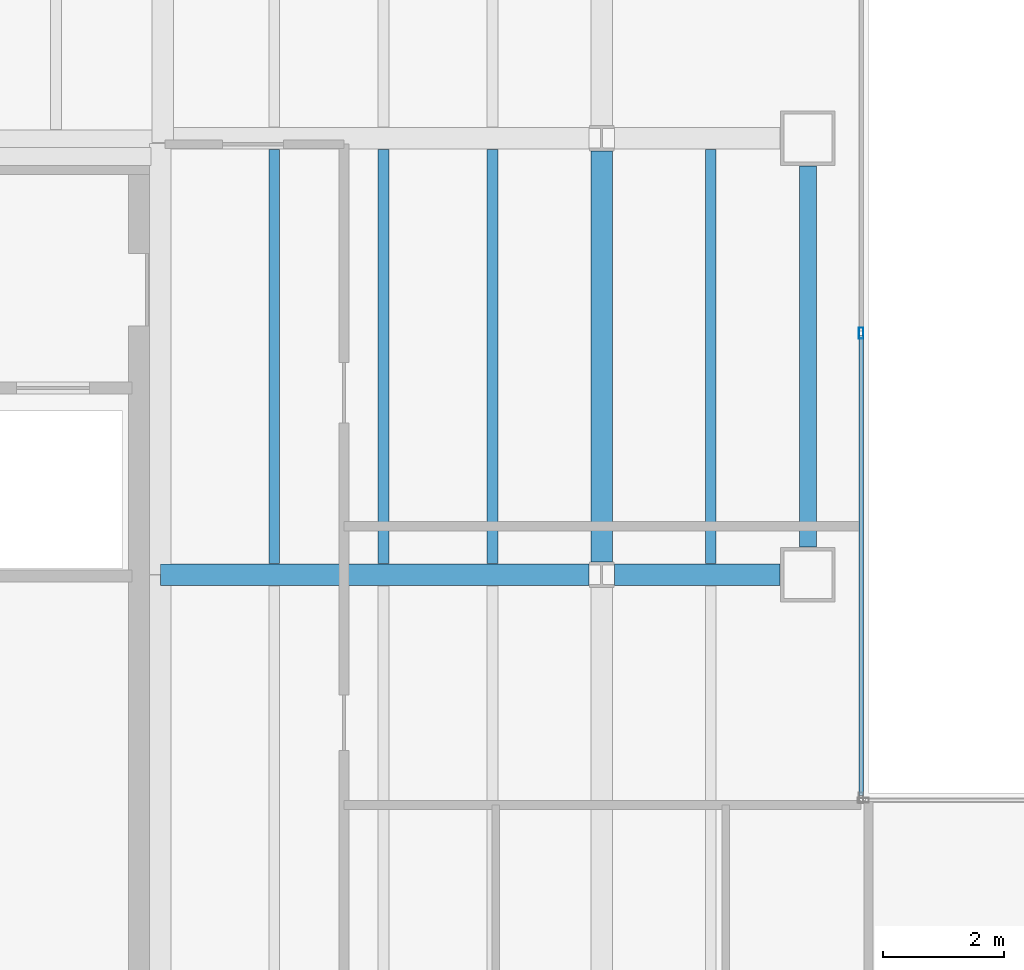
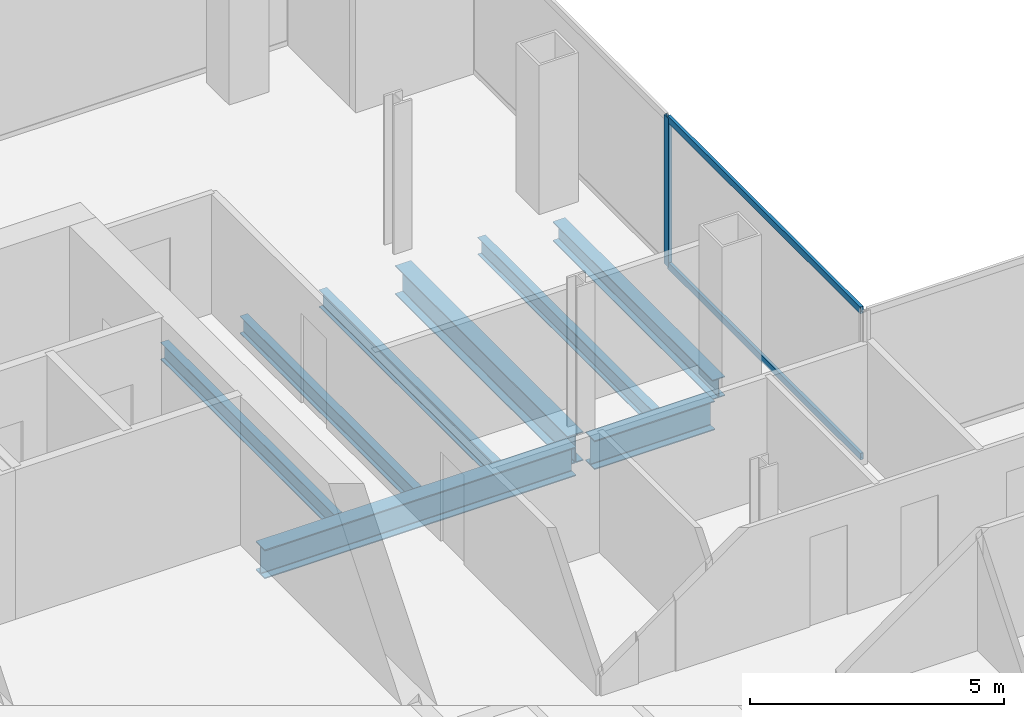
# One storey, part 8 of 23: 8 beams, 3 members, 1 element without a shape of its own.
"""IFC4 building model written with IfcOpenShell, lengths in metres."""

from ifc_helpers import new_model, si_unit, direction, frame, origin, origin_2d, place, context, subcontext, project, spatial, hollow_rectangle, i_section, extrude, material, material_profile, profile_set, type_object, element, aggregate, save


model = new_model("IFC4")

# Units and contexts
model_context = context("Model", 3, precision=1e-05, world=origin(), true_north=direction((0.0, 1.0)))
body_context = subcontext(model_context, "Body", "Model", "MODEL_VIEW")
ifc_project = project(units=[si_unit("LENGTHUNIT", "METRE"), si_unit("AREAUNIT", "SQUARE_METRE"), si_unit("VOLUMEUNIT", "CUBIC_METRE"), si_unit("PLANEANGLEUNIT", "RADIAN"), si_unit("MASSUNIT", "GRAM", prefix="KILO")], contexts=[model_context])

# Site, building, storey
site_placement = place(None, origin())
site = spatial("IfcSite", under=ifc_project, at=site_placement, CompositionType="ELEMENT")
building_placement = place(site_placement, origin())
building = spatial("IfcBuilding", under=site, at=building_placement, Name="Cobrela Telecom Tower", CompositionType="ELEMENT")
storey_placement = place(building_placement, frame((0.0, 0.0, 140.699951171875)))
storey = spatial("IfcBuildingStorey", under=building, at=storey_placement, Name="L35", CompositionType="ELEMENT", Elevation=140.699951171875)

# Beams
ifc_material_1 = material(Name="Steel ASTM A992 Grade 50", Category="steel")
ifc_material_profile_1 = material_profile(ifc_material_1, i_section(OverallWidth=0.35595703125, OverallDepth=0.696044921875, WebThickness=0.015380859375, FlangeThickness=0.024658203125, FilletRadius=0.01806640625, at=origin_2d()), Name="W27X146")
ifc_profile_set_1 = profile_set([ifc_material_profile_1], Name="Steel ASTM A992 Grade 50")
beam_type_1 = type_object("IfcBeamType", Name="BM-GIRD-05", PredefinedType="USERDEFINED", material=ifc_profile_set_1)
beam_1_placement = place(storey_placement, frame((14.324951171875, 28.800048828125, -0.617919921875), z_axis=(1.0, 0.0, 0.0), x_axis=(0.0, 1.0, 0.0)))
element("IfcBeam", 1, at=beam_1_placement, inside=storey, type_object=beam_type_1, Name="L35 Primary Girder X23", ObjectType="GIRDER", PredefinedType="USERDEFINED", context=body_context, shape_type="SweptSolid", body=[
    extrude(i_section(OverallWidth=0.35595703125, OverallDepth=0.696044921875, WebThickness=0.015380859375, FlangeThickness=0.024658203125, FilletRadius=0.01806640625, at=origin_2d()), origin(), (0.0, 0.0, 1.0), 7.0654296875),
])
beam_2_placement = place(storey_placement, frame((21.8095703125, 28.800048828125, -0.617919921875), z_axis=(1.0, 0.0, 0.0), x_axis=(0.0, 1.0, 0.0)))
element("IfcBeam", 2, at=beam_2_placement, inside=storey, type_object=beam_type_1, Name="L35 Primary Girder X24", ObjectType="GIRDER", PredefinedType="USERDEFINED", context=body_context, shape_type="SweptSolid", body=[
    extrude(i_section(OverallWidth=0.35595703125, OverallDepth=0.696044921875, WebThickness=0.015380859375, FlangeThickness=0.024658203125, FilletRadius=0.01806640625, at=origin_2d()), origin(), (0.0, 0.0, 1.0), 2.7353515625),
])
beam_3_placement = place(storey_placement, frame((21.60009765625, 29.009521484375, -0.617919921875), z_axis=(0.0, 1.0, 0.0), x_axis=(-1.0, 0.0, 0.0)))
element("IfcBeam", 3, at=beam_3_placement, inside=storey, type_object=beam_type_1, Name="L35 Primary Girder Y43", ObjectType="GIRDER", PredefinedType="USERDEFINED", context=body_context, shape_type="SweptSolid", body=[
    extrude(i_section(OverallWidth=0.35595703125, OverallDepth=0.696044921875, WebThickness=0.015380859375, FlangeThickness=0.024658203125, FilletRadius=0.01806640625, at=origin_2d()), origin(), (0.0, 0.0, 1.0), 6.781005859375),
])
ifc_material_profile_2 = material_profile(ifc_material_1, i_section(OverallWidth=0.179931640625, OverallDepth=0.4169921875, WebThickness=0.010986328125, FlangeThickness=0.01806640625, FilletRadius=0.011962890625, at=origin_2d()), Name="W16X57")
ifc_profile_set_2 = profile_set([ifc_material_profile_2], Name="Steel ASTM A992 Grade 50")
beam_type_2 = type_object("IfcBeamType", Name="BM-JOIST-04", PredefinedType="JOIST", material=ifc_profile_set_2)
for number, where, z_axis, x_axis, name in (
    (4, (16.199951171875, 28.98291015625, -0.478515625), (0.0, 1.0, 0.0), (-1.0, 0.0, 0.0), "L35 Secondary Composite Floor Beam J07"),
    (5, (18.0, 28.98291015625, -0.478515625), (0.0, 1.0, 0.0), (-1.0, 0.0, 0.0), "L35 Secondary Composite Floor Beam J12"),
    (6, (19.800048828125, 28.98291015625, -0.478515625), (0.0, 1.0, 0.0), (-1.0, 0.0, 0.0), "L35 Secondary Composite Floor Beam J17"),
    (7, (23.39990234375, 28.98291015625, -0.478515625), (0.0, 1.0, 0.0), (-1.0, 0.0, 0.0), "L35 Secondary Composite Floor Beam J22"),
):
    element("IfcBeam", number, at=place(storey_placement, frame(where, z_axis=z_axis, x_axis=x_axis)), inside=storey, type_object=beam_type_2, Name=name, PredefinedType="JOIST", context=body_context, shape_type="SweptSolid", body=[
        extrude(i_section(OverallWidth=0.179931640625, OverallDepth=0.4169921875, WebThickness=0.010986328125, FlangeThickness=0.01806640625, FilletRadius=0.011962890625, at=origin_2d()), origin(), (0.0, 0.0, 1.0), 6.833984375),
    ])
ifc_material_profile_3 = material_profile(ifc_material_1, i_section(OverallWidth=0.281982421875, OverallDepth=0.467041015625, WebThickness=0.01220703125, FlangeThickness=0.01953125, FilletRadius=0.012939453125, at=origin_2d()), Name="W18X86")
ifc_profile_set_3 = profile_set([ifc_material_profile_3], Name="Steel ASTM A992 Grade 50")
beam_type_3 = type_object("IfcBeamType", Name="BM-SPAND-04", PredefinedType="SPANDREL", material=ifc_profile_set_3)
beam_4_placement = place(storey_placement, frame((25.0, 29.2548828125, -0.50341796875), z_axis=(0.0, 1.0, 0.0), x_axis=(-1.0, 0.0, 0.0)))
element("IfcBeam", 8, at=beam_4_placement, inside=storey, type_object=beam_type_3, Name="L35 Perimeter Spandrel Y45", PredefinedType="SPANDREL", context=body_context, shape_type="SweptSolid", body=[
    extrude(i_section(OverallWidth=0.281982421875, OverallDepth=0.467041015625, WebThickness=0.01220703125, FlangeThickness=0.01953125, FilletRadius=0.012939453125, at=origin_2d()), origin(), (0.0, 0.0, 1.0), 6.2900390625),
])

# Curtain wall, members
ifc_material_2 = material(Name="Anodized Bronze Aluminium 6063-T6", Category="aluminium")
curtain_wall_type = type_object("IfcCurtainWallType", Name="CW-SYS-TEL", PredefinedType="USERDEFINED", material=ifc_material_2)
curtain_wall_placement = place(storey_placement, origin())
curtain_wall = element("IfcCurtainWall", 9, at=curtain_wall_placement, inside=storey, type_object=curtain_wall_type, Name="L35 Unitised Bronze Curtain Wall 10", ObjectType="UNITISED CURTAIN WALL", PredefinedType="USERDEFINED")
ifc_material_profile_4 = material_profile(ifc_material_2, hollow_rectangle(XDim=0.074951171875, YDim=0.179931640625, WallThickness=0.00390625, at=origin_2d()), Name="ALU 75x180x4")
ifc_profile_set_4 = profile_set([ifc_material_profile_4], Name="Anodized Bronze Aluminium 6063-T6")
member_type_1 = type_object("IfcMemberType", Name="CW-SYS-TEL-MUL", PredefinedType="MULLION", material=ifc_profile_set_4)
member_1_placement = place(storey_placement, frame((25.8798828125, 32.784912109375, 0.0), z_axis=(0.0, 0.0, 1.0), x_axis=(1.0, 0.0, 0.0)))
member_1 = element("IfcMember", 10, at=member_1_placement, type_object=member_type_1, Name="CW-TEL mullion 2", PredefinedType="MULLION", context=body_context, shape_type="SweptSolid", body=[
    extrude(hollow_rectangle(XDim=0.074951171875, YDim=0.179931640625, WallThickness=0.00390625, at=origin_2d()), origin(), (0.0, 0.0, 1.0), 3.580078125),
])
ifc_material_profile_5 = material_profile(ifc_material_2, hollow_rectangle(XDim=0.070068359375, YDim=0.159912109375, WallThickness=0.00390625, at=origin_2d()), Name="ALU 70x160x4")
ifc_profile_set_5 = profile_set([ifc_material_profile_5], Name="Anodized Bronze Aluminium 6063-T6")
member_type_2 = type_object("IfcMemberType", Name="CW-SYS-TEL-TRN", PredefinedType="USERDEFINED", material=ifc_profile_set_5)
member_2_placement = place(storey_placement, frame((25.8798828125, 32.74755859375, 0.03515625), z_axis=(0.0, -1.0, 0.0), x_axis=(1.0, 0.0, 0.0)))
member_2 = element("IfcMember", 11, at=member_2_placement, type_object=member_type_2, Name="CW-TEL transom 2.1", ObjectType="TRANSOM", PredefinedType="USERDEFINED", context=body_context, shape_type="SweptSolid", body=[
    extrude(hollow_rectangle(XDim=0.070068359375, YDim=0.159912109375, WallThickness=0.00390625, at=origin_2d()), origin(), (0.0, 0.0, 1.0), 7.592529296875),
])
member_3_placement = place(storey_placement, frame((25.8798828125, 32.74755859375, 3.545166015625), z_axis=(0.0, -1.0, 0.0), x_axis=(1.0, 0.0, 0.0)))
member_3 = element("IfcMember", 12, at=member_3_placement, type_object=member_type_2, Name="CW-TEL transom 2.2", ObjectType="TRANSOM", PredefinedType="USERDEFINED", context=body_context, shape_type="SweptSolid", body=[
    extrude(hollow_rectangle(XDim=0.070068359375, YDim=0.159912109375, WallThickness=0.00390625, at=origin_2d()), origin(), (0.0, 0.0, 1.0), 7.592529296875),
])
aggregate(curtain_wall, [member_1, member_2, member_3])

save(model, "model.ifc")
